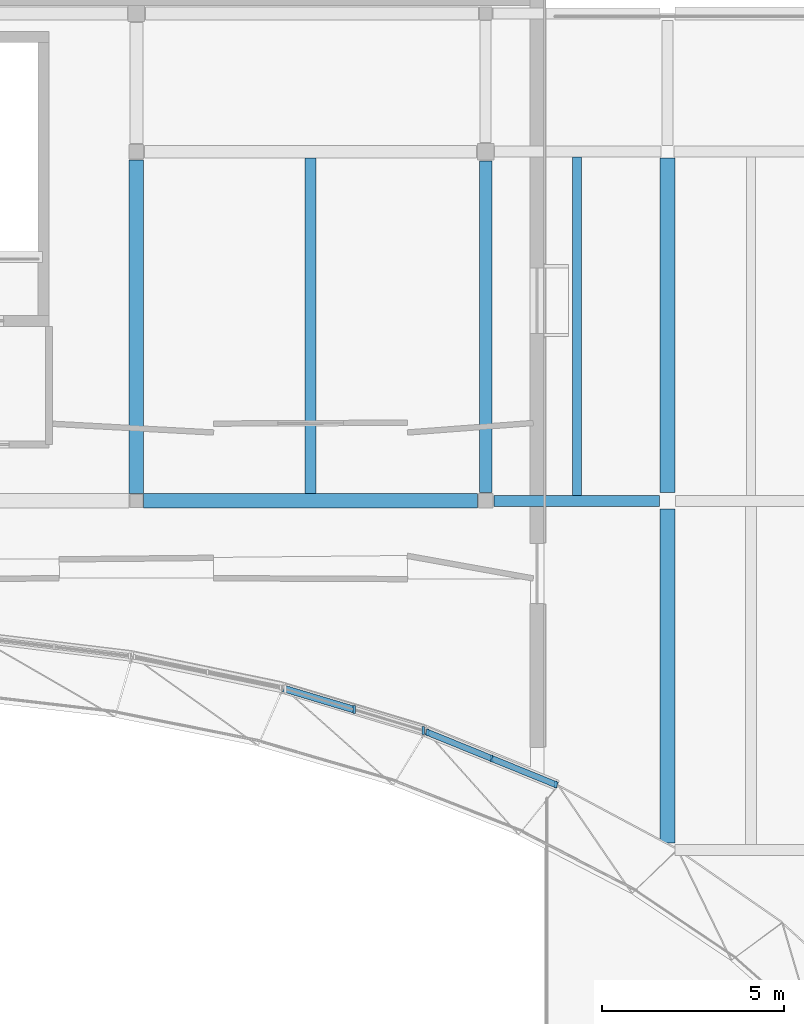
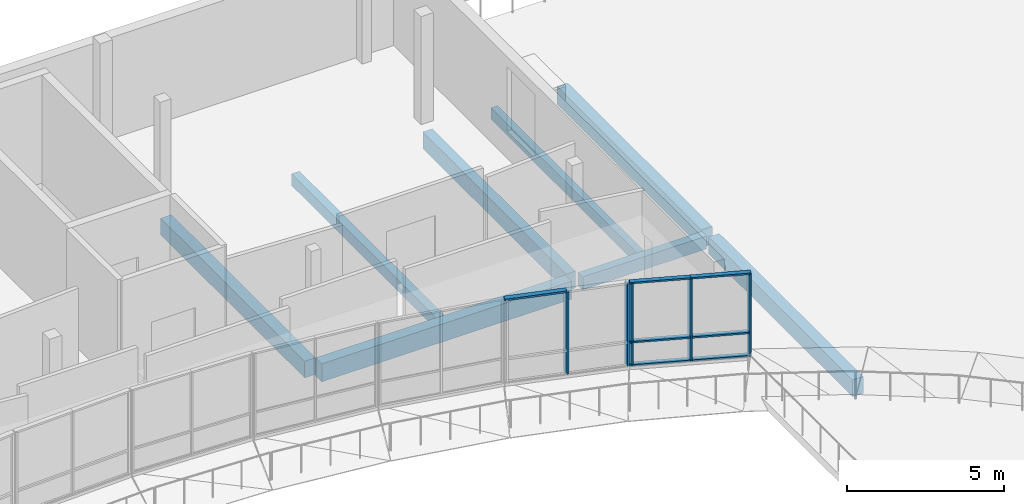
# One storey, part 7 of 18: 12 members, 8 beams, 2 elements without a shape of their own.
"""IFC4 building model written with IfcOpenShell, lengths in metres."""

from ifc_helpers import new_model, si_unit, direction, frame, origin, origin_2d, place, context, subcontext, project, spatial, rectangle, extrude, material, material_profile, profile_set, type_object, element, aggregate, save


model = new_model("IFC4")

# Units and contexts
model_context = context("Model", 3, precision=1e-05, world=origin(), true_north=direction((0.0, 1.0)))
body_context = subcontext(model_context, "Body", "Model", "MODEL_VIEW")
ifc_project = project(units=[si_unit("LENGTHUNIT", "METRE"), si_unit("AREAUNIT", "SQUARE_METRE"), si_unit("VOLUMEUNIT", "CUBIC_METRE"), si_unit("PLANEANGLEUNIT", "RADIAN"), si_unit("MASSUNIT", "GRAM", prefix="KILO")], contexts=[model_context])

# Site, building, storey
site_placement = place(None, origin())
site = spatial("IfcSite", under=ifc_project, at=site_placement, CompositionType="ELEMENT")
building_placement = place(site_placement, origin())
building = spatial("IfcBuilding", under=site, at=building_placement, Name="Mzevani Central Library", CompositionType="ELEMENT")
storey_placement = place(building_placement, frame((0.0, 0.0, 18.300048828125)))
storey = spatial("IfcBuildingStorey", under=building, at=storey_placement, Name="L04", CompositionType="ELEMENT", Elevation=18.300048828125)

# Beams
ifc_material_1 = material(Name="Concrete C35/45", Category="concrete")
ifc_material_profile_1 = material_profile(ifc_material_1, rectangle(XDim=0.300048828125, YDim=0.5, at=origin_2d()), Name="RC B300x500")
ifc_profile_set_1 = profile_set([ifc_material_profile_1], Name="Concrete C35/45")
beam_type_1 = type_object("IfcBeamType", Name="Beam RC 300x500", PredefinedType="BEAM", material=ifc_profile_set_1)
beam_1_placement = place(storey_placement, frame((102.625, 100.0, -0.550048828125), z_axis=(1.0, 0.0, 0.0), x_axis=(0.0, 1.0, 0.0)))
element("IfcBeam", 1, at=beam_1_placement, inside=storey, type_object=beam_type_1, Name="L04 V3 Girder B-01 (712)", PredefinedType="BEAM", context=body_context, shape_type="SweptSolid", body=[
    extrude(rectangle(XDim=0.300048828125, YDim=0.5, at=origin_2d()), origin(), (0.0, 0.0, 1.0), 4.550048828125),
])
ifc_material_profile_2 = material_profile(ifc_material_1, rectangle(XDim=0.35009765625, YDim=0.64990234375, at=origin_2d()), Name="RC B350x650")
ifc_profile_set_2 = profile_set([ifc_material_profile_2], Name="Concrete C35/45")
beam_type_2 = type_object("IfcBeamType", Name="Beam RC 350x650", PredefinedType="BEAM", material=ifc_profile_set_2)
beam_2_placement = place(storey_placement, frame((102.39990234375, 100.22509765625, -0.60498046875), z_axis=(0.0, 1.0, 0.0), x_axis=(-1.0, 0.0, 0.0)))
element("IfcBeam", 2, at=beam_2_placement, inside=storey, type_object=beam_type_2, Name="L04 V3 Frame Beam B-05 (744)", PredefinedType="BEAM", context=body_context, shape_type="SweptSolid", body=[
    extrude(rectangle(XDim=0.35009765625, YDim=0.64990234375, at=origin_2d()), origin(), (0.0, 0.0, 1.0), 9.125),
])
ifc_material_profile_3 = material_profile(ifc_material_1, rectangle(XDim=0.39990234375, YDim=0.64990234375, at=origin_2d()), Name="RC B400x650")
ifc_profile_set_3 = profile_set([ifc_material_profile_3], Name="Concrete C35/45")
beam_type_3 = type_object("IfcBeamType", Name="Beam RC 400x650", PredefinedType="BEAM", material=ifc_profile_set_3)
beam_3_placement = place(storey_placement, frame((92.800048828125, 100.199951171875, -0.60498046875), z_axis=(0.0, 1.0, 0.0), x_axis=(-1.0, 0.0, 0.0)))
element("IfcBeam", 3, at=beam_3_placement, inside=storey, type_object=beam_type_3, Name="L04 V3 Frame Beam B-07 (742)", PredefinedType="BEAM", context=body_context, shape_type="SweptSolid", body=[
    extrude(rectangle(XDim=0.39990234375, YDim=0.64990234375, at=origin_2d()), origin(), (0.0, 0.0, 1.0), 9.175048828125),
])
beam_4_placement = place(storey_placement, frame((107.39990234375, 90.60009765625, -0.625), z_axis=(0.0, 1.0, 0.0), x_axis=(-1.0, 0.0, 0.0)))
element("IfcBeam", 4, at=beam_4_placement, inside=storey, type_object=beam_type_3, Name="L04 V3 Frame Beam B-07 (746)", PredefinedType="BEAM", context=body_context, shape_type="SweptSolid", body=[
    extrude(rectangle(XDim=0.39990234375, YDim=0.64990234375, at=origin_2d()), origin(), (0.0, 0.0, 1.0), 9.1748046875),
])
ifc_material_profile_4 = material_profile(ifc_material_1, rectangle(XDim=0.39990234375, YDim=0.699951171875, at=origin_2d()), Name="RC B400x700")
ifc_profile_set_4 = profile_set([ifc_material_profile_4], Name="Concrete C35/45")
beam_type_4 = type_object("IfcBeamType", Name="Beam RC 400x700", PredefinedType="BEAM", material=ifc_profile_set_4)
beam_5_placement = place(storey_placement, frame((93.0, 100.0, -0.630126953125), z_axis=(1.0, 0.0, 0.0), x_axis=(0.0, 1.0, 0.0)))
element("IfcBeam", 5, at=beam_5_placement, inside=storey, type_object=beam_type_4, Name="L04 V3 Girder B-08 (711)", PredefinedType="BEAM", context=body_context, shape_type="SweptSolid", body=[
    extrude(rectangle(XDim=0.39990234375, YDim=0.699951171875, at=origin_2d()), origin(), (0.0, 0.0, 1.0), 9.175048828125),
])
beam_6_placement = place(storey_placement, frame((107.39990234375, 100.22509765625, -0.650146484375), z_axis=(0.0, 1.0, 0.0), x_axis=(-1.0, 0.0, 0.0)))
element("IfcBeam", 6, at=beam_6_placement, inside=storey, type_object=beam_type_4, Name="L04 V3 Frame Beam B-08 (747)", PredefinedType="BEAM", context=body_context, shape_type="SweptSolid", body=[
    extrude(rectangle(XDim=0.39990234375, YDim=0.699951171875, at=origin_2d()), origin(), (0.0, 0.0, 1.0), 9.199951171875),
])

# Curtain wall, members
ifc_material_2 = material(Name="Thermally broken aluminium and Low-E triple glazing", Category="aluminium")
curtain_wall_type = type_object("IfcCurtainWallType", Name="Elliptical Court Unitised Curtain Wall", PredefinedType="NOTDEFINED", material=ifc_material_2)
curtain_wall_1_placement = place(storey_placement, origin())
curtain_wall_1 = element("IfcCurtainWall", 7, at=curtain_wall_1_placement, inside=storey, type_object=curtain_wall_type, Name="L04 Elliptical Court Curtain Wall 8", PredefinedType="NOTDEFINED")
ifc_material_3 = material(Name="Thermally broken aluminium AW-6060", Category="aluminium")
ifc_material_profile_5 = material_profile(ifc_material_3, rectangle(XDim=0.06494140625, YDim=0.199951171875, at=origin_2d()), Name="ALU M65x200")
ifc_profile_set_5 = profile_set([ifc_material_profile_5], Name="Thermally broken aluminium AW-6060")
member_type_1 = type_object("IfcMemberType", Name="CW Mullion 65x200", PredefinedType="MULLION", material=ifc_profile_set_5)
member_1_placement = place(storey_placement, frame((104.3271484375, 92.20263671875, 0.719970703125), z_axis=(0.0, 0.0, 1.0), x_axis=(1.0, 0.0, 0.0)))
member_1 = element("IfcMember", 8, at=member_1_placement, type_object=member_type_1, Name="L04 Elliptical Court Curtain Wall 8 Mullion 1", PredefinedType="MULLION", context=body_context, shape_type="SweptSolid", body=[
    extrude(rectangle(XDim=0.06494140625, YDim=0.199951171875, at=origin_2d()), origin(), (0.0, 0.0, 1.0), 3.199951171875),
])
member_2_placement = place(storey_placement, frame((102.568115234375, 92.918212890625, 0.719970703125), z_axis=(0.0, 0.0, 1.0), x_axis=(1.0, 0.0, 0.0)))
member_2 = element("IfcMember", 9, at=member_2_placement, type_object=member_type_1, Name="L04 Elliptical Court Curtain Wall 8 Mullion 2", PredefinedType="MULLION", context=body_context, shape_type="SweptSolid", body=[
    extrude(rectangle(XDim=0.06494140625, YDim=0.199951171875, at=origin_2d()), origin(), (0.0, 0.0, 1.0), 3.199951171875),
])
member_3_placement = place(storey_placement, frame((100.808837890625, 93.633544921875, 0.719970703125), z_axis=(0.0, 0.0, 1.0), x_axis=(1.0, 0.0, 0.0)))
member_3 = element("IfcMember", 10, at=member_3_placement, type_object=member_type_1, Name="L04 Elliptical Court Curtain Wall 8 Mullion 3", PredefinedType="MULLION", context=body_context, shape_type="SweptSolid", body=[
    extrude(rectangle(XDim=0.06494140625, YDim=0.199951171875, at=origin_2d()), origin(), (0.0, 0.0, 1.0), 3.199951171875),
])

curtain_wall_2_placement = place(storey_placement, origin())
curtain_wall_2 = element("IfcCurtainWall", 11, at=curtain_wall_2_placement, inside=storey, type_object=curtain_wall_type, Name="L04 Elliptical Court Curtain Wall 9", PredefinedType="NOTDEFINED")
ifc_material_profile_6 = material_profile(ifc_material_3, rectangle(XDim=0.070068359375, YDim=0.219970703125, at=origin_2d()), Name="ALU M70x220")
ifc_profile_set_6 = profile_set([ifc_material_profile_6], Name="Thermally broken aluminium AW-6060")
member_type_2 = type_object("IfcMemberType", Name="CW Mullion 70x220", PredefinedType="MULLION", material=ifc_profile_set_6)
member_4_placement = place(storey_placement, frame((100.690673828125, 93.689697265625, 0.719970703125), z_axis=(0.0, 0.0, 1.0), x_axis=(1.0, 0.0, 0.0)))
member_4 = element("IfcMember", 12, at=member_4_placement, type_object=member_type_2, Name="L04 Elliptical Court Curtain Wall 9 Mullion 1", PredefinedType="MULLION", context=body_context, shape_type="SweptSolid", body=[
    extrude(rectangle(XDim=0.070068359375, YDim=0.219970703125, at=origin_2d()), origin(), (0.0, 0.0, 1.0), 3.199951171875),
])
member_5_placement = place(storey_placement, frame((98.791015625, 94.260009765625, 0.719970703125), z_axis=(0.0, 0.0, 1.0), x_axis=(1.0, 0.0, 0.0)))
member_5 = element("IfcMember", 13, at=member_5_placement, type_object=member_type_2, Name="L04 Elliptical Court Curtain Wall 9 Mullion 2", PredefinedType="MULLION", context=body_context, shape_type="SweptSolid", body=[
    extrude(rectangle(XDim=0.070068359375, YDim=0.219970703125, at=origin_2d()), origin(), (0.0, 0.0, 1.0), 3.199951171875),
])

# Member
ifc_material_profile_7 = material_profile(ifc_material_3, rectangle(XDim=0.169921875, YDim=0.06494140625, at=origin_2d()), Name="ALU T65x170")
ifc_profile_set_7 = profile_set([ifc_material_profile_7], Name="Thermally broken aluminium AW-6060")
member_type_3 = type_object("IfcMemberType", Name="CW Transom 65x170", PredefinedType="USERDEFINED", material=ifc_profile_set_7)
member_6_placement = place(storey_placement, frame((104.37353515625, 92.18359375, 0.719970703125), z_axis=(-0.926257606894, 0.376891026254, 0.0), x_axis=(-0.376891026254, -0.926257606894, 0.0)))
member_6 = element("IfcMember", 14, at=member_6_placement, type_object=member_type_3, Name="L04 Elliptical Court Curtain Wall 8 Transom 1", ObjectType="TRANSOM", PredefinedType="USERDEFINED", context=body_context, shape_type="SweptSolid", body=[
    extrude(rectangle(XDim=0.169921875, YDim=0.06494140625, at=origin_2d()), origin(), (0.0, 0.0, 1.0), 1.94921875),
])

member_7_placement = place(storey_placement, frame((104.37353515625, 92.18359375, 1.619873046875), z_axis=(-0.926257606894, 0.376891026254, 0.0), x_axis=(-0.376891026254, -0.926257606894, 0.0)))
member_7 = element("IfcMember", 15, at=member_7_placement, type_object=member_type_3, Name="L04 Elliptical Court Curtain Wall 8 Transom 2", ObjectType="TRANSOM", PredefinedType="USERDEFINED", context=body_context, shape_type="SweptSolid", body=[
    extrude(rectangle(XDim=0.169921875, YDim=0.06494140625, at=origin_2d()), origin(), (0.0, 0.0, 1.0), 1.94921875),
])

member_8_placement = place(storey_placement, frame((104.37353515625, 92.18359375, 3.919921875), z_axis=(-0.926257606894, 0.376891026254, 0.0), x_axis=(-0.376891026254, -0.926257606894, 0.0)))
member_8 = element("IfcMember", 16, at=member_8_placement, type_object=member_type_3, Name="L04 Elliptical Court Curtain Wall 8 Transom 3", ObjectType="TRANSOM", PredefinedType="USERDEFINED", context=body_context, shape_type="SweptSolid", body=[
    extrude(rectangle(XDim=0.169921875, YDim=0.06494140625, at=origin_2d()), origin(), (0.0, 0.0, 1.0), 1.94921875),
])

member_9_placement = place(storey_placement, frame((102.568115234375, 92.918212890625, 0.719970703125), z_axis=(-0.926301328869, 0.376783556084, 0.0), x_axis=(-0.376783556084, -0.926301328869, 0.0)))
member_9 = element("IfcMember", 17, at=member_9_placement, type_object=member_type_3, Name="L04 Elliptical Court Curtain Wall 8 Transom 4", ObjectType="TRANSOM", PredefinedType="USERDEFINED", context=body_context, shape_type="SweptSolid", body=[
    extrude(rectangle(XDim=0.169921875, YDim=0.06494140625, at=origin_2d()), origin(), (0.0, 0.0, 1.0), 1.948974609375),
])

member_10_placement = place(storey_placement, frame((102.568115234375, 92.918212890625, 1.619873046875), z_axis=(-0.926301328869, 0.376783556084, 0.0), x_axis=(-0.376783556084, -0.926301328869, 0.0)))
member_10 = element("IfcMember", 18, at=member_10_placement, type_object=member_type_3, Name="L04 Elliptical Court Curtain Wall 8 Transom 5", ObjectType="TRANSOM", PredefinedType="USERDEFINED", context=body_context, shape_type="SweptSolid", body=[
    extrude(rectangle(XDim=0.169921875, YDim=0.06494140625, at=origin_2d()), origin(), (0.0, 0.0, 1.0), 1.948974609375),
])

member_11_placement = place(storey_placement, frame((102.568115234375, 92.918212890625, 3.919921875), z_axis=(-0.926301328869, 0.376783556084, 0.0), x_axis=(-0.376783556084, -0.926301328869, 0.0)))
member_11 = element("IfcMember", 19, at=member_11_placement, type_object=member_type_3, Name="L04 Elliptical Court Curtain Wall 8 Transom 6", ObjectType="TRANSOM", PredefinedType="USERDEFINED", context=body_context, shape_type="SweptSolid", body=[
    extrude(rectangle(XDim=0.169921875, YDim=0.06494140625, at=origin_2d()), origin(), (0.0, 0.0, 1.0), 1.948974609375),
])

aggregate(curtain_wall_1, [member_1, member_2, member_3, member_6, member_7, member_8, member_9, member_10, member_11])

ifc_material_profile_8 = material_profile(ifc_material_3, rectangle(XDim=0.18994140625, YDim=0.070068359375, at=origin_2d()), Name="ALU T70x190")
ifc_profile_set_8 = profile_set([ifc_material_profile_8], Name="Thermally broken aluminium AW-6060")
member_type_4 = type_object("IfcMemberType", Name="CW Transom 70x190", PredefinedType="USERDEFINED", material=ifc_profile_set_8)
member_12_placement = place(storey_placement, frame((98.791015625, 94.260009765625, 3.919921875), z_axis=(-0.957763475746, 0.287557167408, 0.0), x_axis=(-0.287557167408, -0.957763475746, 0.0)))
member_12 = element("IfcMember", 20, at=member_12_placement, type_object=member_type_4, Name="L04 Elliptical Court Curtain Wall 9 Transom 6", ObjectType="TRANSOM", PredefinedType="USERDEFINED", context=body_context, shape_type="SweptSolid", body=[
    extrude(rectangle(XDim=0.18994140625, YDim=0.070068359375, at=origin_2d()), origin(), (0.0, 0.0, 1.0), 2.033447265625),
])

aggregate(curtain_wall_2, [member_4, member_5, member_12])

# Beams
ifc_material_profile_9 = material_profile(ifc_material_1, rectangle(XDim=0.25, YDim=0.449951171875, at=origin_2d()), Name="RC J250x450")
ifc_profile_set_9 = profile_set([ifc_material_profile_9], Name="Concrete C35/45")
beam_type_5 = type_object("IfcBeamType", Name="Floor Joist RC 250x450", PredefinedType="JOIST", material=ifc_profile_set_9)
beam_7_placement = place(storey_placement, frame((104.91259765625, 100.14990234375, -0.525146484375), z_axis=(0.0, 1.0, 0.0), x_axis=(-1.0, 0.0, 0.0)))
element("IfcBeam", 21, at=beam_7_placement, inside=storey, type_object=beam_type_5, Name="L04 V3 Floor Joist BJ-01 (762)", PredefinedType="JOIST", context=body_context, shape_type="SweptSolid", body=[
    extrude(rectangle(XDim=0.25, YDim=0.449951171875, at=origin_2d()), origin(), (0.0, 0.0, 1.0), 9.300048828125),
])
ifc_material_profile_10 = material_profile(ifc_material_1, rectangle(XDim=0.300048828125, YDim=0.449951171875, at=origin_2d()), Name="RC J300x450")
ifc_profile_set_10 = profile_set([ifc_material_profile_10], Name="Concrete C35/45")
beam_type_6 = type_object("IfcBeamType", Name="Floor Joist RC 300x450", PredefinedType="JOIST", material=ifc_profile_set_10)
beam_8_placement = place(storey_placement, frame((97.58740234375, 100.199951171875, -0.505126953125), z_axis=(0.0, 1.0, 0.0), x_axis=(-1.0, 0.0, 0.0)))
element("IfcBeam", 22, at=beam_8_placement, inside=storey, type_object=beam_type_6, Name="L04 V3 Floor Joist BJ-03 (761)", PredefinedType="JOIST", context=body_context, shape_type="SweptSolid", body=[
    extrude(rectangle(XDim=0.300048828125, YDim=0.449951171875, at=origin_2d()), origin(), (0.0, 0.0, 1.0), 9.22509765625),
])

save(model, "model.ifc")
